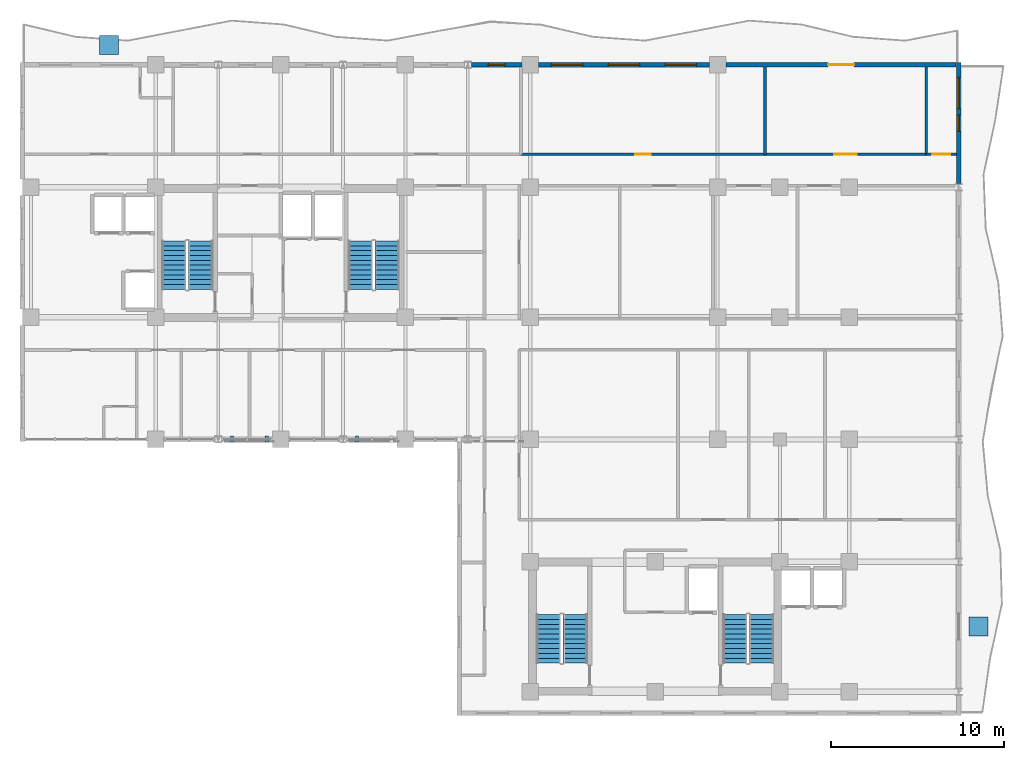
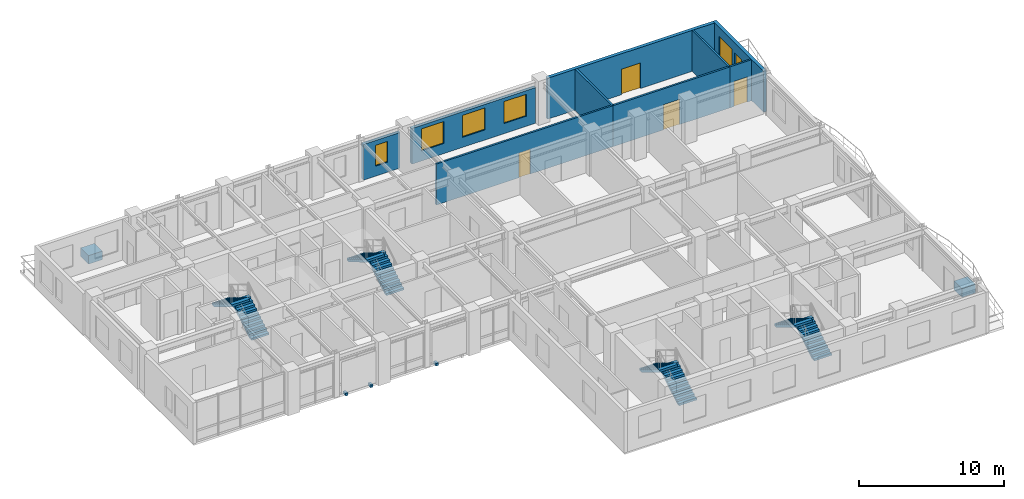
# One storey, part 12 of 16: 9 walls, 8 stair flights, 6 windows, 5 discrete accessories, 4 doors, 10 openings, 4 elements without a shape of their own.
"""IFC4 building model written with IfcOpenShell, lengths in metres."""

from ifc_helpers import new_model, si_unit, direction, frame, frame_2d, origin, origin_2d, place, context, subcontext, project, spatial, polyline, rectangle, outline, extrude, source, transform, mapped, material, layer, layer_set, type_object, element, fill, aggregate, save


model = new_model("IFC4")

# Units and contexts
model_context = context("Model", 3, precision=1e-05, world=origin(), true_north=direction((0.0, 1.0)))
body_context = subcontext(model_context, "Body", "Model", "MODEL_VIEW")
ifc_project = project(units=[si_unit("LENGTHUNIT", "METRE"), si_unit("AREAUNIT", "SQUARE_METRE"), si_unit("VOLUMEUNIT", "CUBIC_METRE"), si_unit("PLANEANGLEUNIT", "RADIAN"), si_unit("MASSUNIT", "GRAM", prefix="KILO")], contexts=[model_context])

# Site, building, storey
site_placement = place(None, origin())
site = spatial("IfcSite", under=ifc_project, at=site_placement, CompositionType="ELEMENT")
building_placement = place(site_placement, origin())
building = spatial("IfcBuilding", under=site, at=building_placement, Name="Kaliganga Portal Commons", CompositionType="ELEMENT")
storey_placement = place(building_placement, frame((0.0, 0.0, 205.5)))
storey = spatial("IfcBuildingStorey", under=building, at=storey_placement, Name="L52", CompositionType="ELEMENT", Elevation=205.5)

# Wall, openings, windows
ifc_material_1 = material(Name="Insulated Aluminium-Clad Spandrel Assembly", Category="aluminium")
ifc_layer_1 = layer(ifc_material_1, 0.260009765625)
ifc_layer_set_1 = layer_set([ifc_layer_1], Name="Insulated Aluminium-Clad Spandrel Assembly")
wall_type_1 = type_object("IfcWallType", Name="WL-EXT-SPAND-260", PredefinedType="STANDARD", material=ifc_layer_set_1)
wall_1_placement = place(storey_placement, frame((60.699951171875, 43.330078125, 0.0), z_axis=(0.0, 0.0, 1.0), x_axis=(0.0, -1.0, 0.0)))
wall_1 = element("IfcWall", 1, at=wall_1_placement, inside=storey, type_object=wall_type_1, Name="Exterior Envelope Wall L52 P1-E01-S6", PredefinedType="STANDARD", context=body_context, shape_type="SweptSolid", body=[
    extrude(rectangle(XDim=6.97900390625, YDim=0.260009765625, at=frame_2d((3.489501953125, 0.0))), origin(), (0.0, 0.0, 1.0), 3.449951171875),
])
opening_1_placement = place(wall_1_placement, frame((0.8447265625, 0.0, 0.85009765625)))
opening_1 = element("IfcOpeningElement", 2, at=opening_1_placement, cuts=wall_1, Name="Opening W-01", PredefinedType="OPENING", context=body_context, shape_type="SweptSolid", body=[
    extrude(rectangle(XDim=1.800048828125, YDim=1.85009765625, at=frame_2d((0.89990234375, 0.925048828125))), frame((0.0, 0.14013671875, 0.0), z_axis=(0.0, -1.0, 0.0), x_axis=(1.0, 0.0, 0.0)), (0.0, 0.0, 1.0), 0.280029296875),
])
opening_2_placement = place(wall_1_placement, frame((3.014404296875, 0.0, 0.85009765625)))
opening_2 = element("IfcOpeningElement", 3, at=opening_2_placement, cuts=wall_1, Name="Opening W-04", PredefinedType="OPENING", context=body_context, shape_type="SweptSolid", body=[
    extrude(rectangle(XDim=0.949951171875, YDim=1.75, at=frame_2d((0.47509765625, 0.875))), frame((0.0, 0.14013671875, 0.0), z_axis=(0.0, -1.0, 0.0), x_axis=(1.0, 0.0, 0.0)), (0.0, 0.0, 1.0), 0.280029296875),
])
ifc_material_2 = material(Name="Thermally Broken Aluminium and Low-E Double Glazing", Category="aluminium")
window_type_1 = type_object("IfcWindowType", Name="WIN-NARROW-950", PartitioningType="SINGLE_PANEL", PredefinedType="WINDOW", material=ifc_material_2)
window_1_placement = place(opening_2_placement, origin())
window_1 = element("IfcWindow", 4, at=window_1_placement, inside=storey, type_object=window_type_1, Name="Facade Window L52-P1E01S6-N0", OverallHeight=1.75, OverallWidth=0.949951171875, PartitioningType="SINGLE_PANEL", PredefinedType="WINDOW", context=body_context, shape_type="SweptSolid", body=[
    extrude(rectangle(XDim=0.949951171875, YDim=1.75, at=frame_2d((0.47509765625, 0.875))), frame((0.0, 0.030029296875, 0.0), z_axis=(0.0, -1.0, 0.0), x_axis=(1.0, 0.0, 0.0)), (0.0, 0.0, 1.0), 0.06005859375),
])
fill(opening_2, window_1)
window_type_2 = type_object("IfcWindowType", Name="WIN-STD-1800", PartitioningType="DOUBLE_PANEL_VERTICAL", PredefinedType="WINDOW", material=ifc_material_2)
window_2_placement = place(opening_1_placement, origin())
window_2 = element("IfcWindow", 5, at=window_2_placement, inside=storey, type_object=window_type_2, Name="Facade Window L52-P1E01S6-00", OverallHeight=1.85009765625, OverallWidth=1.800048828125, PartitioningType="SINGLE_PANEL", PredefinedType="WINDOW", context=body_context, shape_type="SweptSolid", body=[
    extrude(rectangle(XDim=1.800048828125, YDim=1.85009765625, at=frame_2d((0.89990234375, 0.925048828125))), frame((0.0, 0.030029296875, 0.0), z_axis=(0.0, -1.0, 0.0), x_axis=(1.0, 0.0, 0.0)), (0.0, 0.0, 1.0), 0.06005859375),
])
fill(opening_1, window_2)

# Wall, opening, door
wall_2_placement = place(storey_placement, frame((47.27587890625, 43.199951171875, 0.0), z_axis=(0.0, 0.0, 1.0), x_axis=(1.0, 0.0, 0.0)))
wall_2 = element("IfcWall", 6, at=wall_2_placement, inside=storey, type_object=wall_type_1, Name="Exterior Envelope Wall L52 P1-E02-S1", PredefinedType="STANDARD", context=body_context, shape_type="SweptSolid", body=[
    extrude(rectangle(XDim=13.2890625, YDim=0.260009765625, at=frame_2d((6.64453125, 0.0))), origin(), (0.0, 0.0, 1.0), 3.449951171875),
])
opening_3_placement = place(wall_2_placement, frame((5.89404296875, 0.0, 0.0)))
opening_3 = element("IfcOpeningElement", 7, at=opening_3_placement, cuts=wall_2, Name="Opening BD-01", PredefinedType="OPENING", context=body_context, shape_type="SweptSolid", body=[
    extrude(rectangle(XDim=1.5, YDim=2.14990234375, at=frame_2d((0.75, 1.074951171875))), frame((0.0, 0.14013671875, 0.0), z_axis=(0.0, -1.0, 0.0), x_axis=(1.0, 0.0, 0.0)), (0.0, 0.0, 1.0), 0.280029296875),
])
ifc_material_3 = material(Name="Anodized Aluminium and Laminated Safety Glass", Category="aluminium")
door_type_1 = type_object("IfcDoorType", Name="DR-BALC-1500", OperationType="SLIDING_TO_LEFT", PredefinedType="DOOR", material=ifc_material_3)
door_1_placement = place(opening_3_placement, origin())
door_1 = element("IfcDoor", 8, at=door_1_placement, inside=storey, type_object=door_type_1, Name="Balcony Sliding Door L52 balc_north", OperationType="SLIDING_TO_LEFT", OverallHeight=2.14990234375, OverallWidth=1.5, PredefinedType="DOOR", context=body_context, shape_type="SweptSolid", body=[
    extrude(rectangle(XDim=1.5, YDim=2.14990234375, at=frame_2d((0.75, 1.074951171875))), frame((0.0, 0.02490234375, 0.0), z_axis=(0.0, -1.0, 0.0), x_axis=(1.0, 0.0, 0.0)), (0.0, 0.0, 1.0), 0.050048828125),
])
fill(opening_3, door_1)

# Wall, openings, windows
wall_3_placement = place(storey_placement, frame((36.47607421875, 43.199951171875, 0.0), z_axis=(0.0, 0.0, 1.0), x_axis=(1.0, 0.0, 0.0)))
wall_3 = element("IfcWall", 9, at=wall_3_placement, inside=storey, type_object=wall_type_1, Name="Exterior Envelope Wall L52 P1-E02-S2", PredefinedType="STANDARD", context=body_context, shape_type="SweptSolid", body=[
    extrude(rectangle(XDim=9.847900390625, YDim=0.260009765625, at=frame_2d((4.923828125, 0.0))), origin(), (0.0, 0.0, 1.0), 3.0),
])
opening_4_placement = place(wall_3_placement, frame((0.7412109375, 0.0, 0.85009765625)))
opening_4 = element("IfcOpeningElement", 10, at=opening_4_placement, cuts=wall_3, Name="Opening W-01", PredefinedType="OPENING", context=body_context, shape_type="SweptSolid", body=[
    extrude(rectangle(XDim=1.800048828125, YDim=1.85009765625, at=frame_2d((0.89990234375, 0.925048828125))), frame((0.0, 0.14013671875, 0.0), z_axis=(0.0, -1.0, 0.0), x_axis=(1.0, 0.0, 0.0)), (0.0, 0.0, 1.0), 0.280029296875),
])
opening_5_placement = place(wall_3_placement, frame((4.02392578125, 0.0, 0.85009765625)))
opening_5 = element("IfcOpeningElement", 11, at=opening_5_placement, cuts=wall_3, Name="Opening W-01", PredefinedType="OPENING", context=body_context, shape_type="SweptSolid", body=[
    extrude(rectangle(XDim=1.800048828125, YDim=1.85009765625, at=frame_2d((0.89990234375, 0.925048828125))), frame((0.0, 0.14013671875, 0.0), z_axis=(0.0, -1.0, 0.0), x_axis=(1.0, 0.0, 0.0)), (0.0, 0.0, 1.0), 0.280029296875),
])
opening_6_placement = place(wall_3_placement, frame((7.306640625, 0.0, 0.85009765625)))
opening_6 = element("IfcOpeningElement", 12, at=opening_6_placement, cuts=wall_3, Name="Opening W-01", PredefinedType="OPENING", context=body_context, shape_type="SweptSolid", body=[
    extrude(rectangle(XDim=1.800048828125, YDim=1.85009765625, at=frame_2d((0.89990234375, 0.925048828125))), frame((0.0, 0.14013671875, 0.0), z_axis=(0.0, -1.0, 0.0), x_axis=(1.0, 0.0, 0.0)), (0.0, 0.0, 1.0), 0.280029296875),
])
window_3_placement = place(opening_4_placement, origin())
window_3 = element("IfcWindow", 13, at=window_3_placement, inside=storey, type_object=window_type_2, Name="Facade Window L52-P1E02S2-00", OverallHeight=1.85009765625, OverallWidth=1.800048828125, PartitioningType="SINGLE_PANEL", PredefinedType="WINDOW", context=body_context, shape_type="SweptSolid", body=[
    extrude(rectangle(XDim=1.800048828125, YDim=1.85009765625, at=frame_2d((0.89990234375, 0.925048828125))), frame((0.0, 0.030029296875, 0.0), z_axis=(0.0, -1.0, 0.0), x_axis=(1.0, 0.0, 0.0)), (0.0, 0.0, 1.0), 0.06005859375),
])
fill(opening_4, window_3)
window_4_placement = place(opening_5_placement, origin())
window_4 = element("IfcWindow", 14, at=window_4_placement, inside=storey, type_object=window_type_2, Name="Facade Window L52-P1E02S2-01", OverallHeight=1.85009765625, OverallWidth=1.800048828125, PartitioningType="SINGLE_PANEL", PredefinedType="WINDOW", context=body_context, shape_type="SweptSolid", body=[
    extrude(rectangle(XDim=1.800048828125, YDim=1.85009765625, at=frame_2d((0.89990234375, 0.925048828125))), frame((0.0, 0.030029296875, 0.0), z_axis=(0.0, -1.0, 0.0), x_axis=(1.0, 0.0, 0.0)), (0.0, 0.0, 1.0), 0.06005859375),
])
fill(opening_5, window_4)
window_5_placement = place(opening_6_placement, origin())
window_5 = element("IfcWindow", 15, at=window_5_placement, inside=storey, type_object=window_type_2, Name="Facade Window L52-P1E02S2-02", OverallHeight=1.85009765625, OverallWidth=1.800048828125, PartitioningType="SINGLE_PANEL", PredefinedType="WINDOW", context=body_context, shape_type="SweptSolid", body=[
    extrude(rectangle(XDim=1.800048828125, YDim=1.85009765625, at=frame_2d((0.89990234375, 0.925048828125))), frame((0.0, 0.030029296875, 0.0), z_axis=(0.0, -1.0, 0.0), x_axis=(1.0, 0.0, 0.0)), (0.0, 0.0, 1.0), 0.06005859375),
])
fill(opening_6, window_5)

# Wall, opening, window
wall_4_placement = place(storey_placement, frame((32.6005859375, 43.199951171875, 0.0), z_axis=(0.0, 0.0, 1.0), x_axis=(1.0, 0.0, 0.0)))
wall_4 = element("IfcWall", 16, at=wall_4_placement, inside=storey, type_object=wall_type_1, Name="Exterior Envelope Wall L52 P1-E02-S3", PredefinedType="STANDARD", context=body_context, shape_type="SweptSolid", body=[
    extrude(rectangle(XDim=2.92333984375, YDim=0.260009765625, at=frame_2d((1.461669921875, 0.0))), origin(), (0.0, 0.0, 1.0), 3.0),
])
opening_7_placement = place(wall_4_placement, frame((0.98681640625, 0.0, 0.85009765625)))
opening_7 = element("IfcOpeningElement", 17, at=opening_7_placement, cuts=wall_4, Name="Opening W-04", PredefinedType="OPENING", context=body_context, shape_type="SweptSolid", body=[
    extrude(rectangle(XDim=0.949951171875, YDim=1.75, at=frame_2d((0.47509765625, 0.875))), frame((0.0, 0.14013671875, 0.0), z_axis=(0.0, -1.0, 0.0), x_axis=(1.0, 0.0, 0.0)), (0.0, 0.0, 1.0), 0.280029296875),
])
window_6_placement = place(opening_7_placement, origin())
window_6 = element("IfcWindow", 18, at=window_6_placement, inside=storey, type_object=window_type_1, Name="Facade Window L52-P1E02S3-00", OverallHeight=1.75, OverallWidth=0.949951171875, PartitioningType="SINGLE_PANEL", PredefinedType="WINDOW", context=body_context, shape_type="SweptSolid", body=[
    extrude(rectangle(XDim=0.949951171875, YDim=1.75, at=frame_2d((0.47509765625, 0.875))), frame((0.0, 0.030029296875, 0.0), z_axis=(0.0, -1.0, 0.0), x_axis=(1.0, 0.0, 0.0)), (0.0, 0.0, 1.0), 0.06005859375),
])
fill(opening_7, window_6)

# Wall, opening, door
ifc_material_4 = material(Name="Fire-Rated Gypsum Board on Steel Stud", Category="steel")
ifc_layer_2 = layer(ifc_material_4, 0.14990234375)
ifc_layer_set_2 = layer_set([ifc_layer_2], Name="Fire-Rated Gypsum Board on Steel Stud")
wall_type_2 = type_object("IfcWallType", Name="WL-PART-CORR-150", PredefinedType="PARTITIONING", material=ifc_layer_set_2)
wall_5_placement = place(storey_placement, frame((35.4599609375, 38.0400390625, 0.0), z_axis=(0.0, 0.0, 1.0), x_axis=(1.0, 0.0, 0.0)))
wall_5 = element("IfcWall", 19, at=wall_5_placement, inside=storey, type_object=wall_type_2, Name="Interior Partition L52-007", PredefinedType="PARTITIONING", context=body_context, shape_type="SweptSolid", body=[
    extrude(rectangle(XDim=14.080078125, YDim=0.14990234375, at=frame_2d((7.0400390625, 0.0))), origin(), (0.0, 0.0, 1.0), 3.449951171875),
])
opening_8_placement = place(wall_5_placement, frame((6.590087890625, 0.0, 0.0)))
opening_8 = element("IfcOpeningElement", 20, at=opening_8_placement, cuts=wall_5, Name="Opening RD-01", PredefinedType="OPENING", context=body_context, shape_type="SweptSolid", body=[
    extrude(rectangle(XDim=0.89990234375, YDim=2.080078125, at=frame_2d((0.449951171875, 1.0400390625))), frame((0.0, 0.0849609375, 0.0), z_axis=(0.0, -1.0, 0.0), x_axis=(1.0, 0.0, 0.0)), (0.0, 0.0, 1.0), 0.169921875),
])
ifc_material_5 = material(Name="Engineered Timber Flush Door", Category="wood")
door_type_2 = type_object("IfcDoorType", Name="DR-ROOM-900", OperationType="NOTDEFINED", PredefinedType="DOOR", material=ifc_material_5)
door_2_placement = place(opening_8_placement, origin())
door_2 = element("IfcDoor", 21, at=door_2_placement, inside=storey, type_object=door_type_2, Name="Interior Door L52-AN04", OperationType="SINGLE_SWING_LEFT", OverallHeight=2.080078125, OverallWidth=0.89990234375, PredefinedType="DOOR", context=body_context, shape_type="SweptSolid", body=[
    extrude(rectangle(XDim=0.89990234375, YDim=2.080078125, at=frame_2d((0.449951171875, 1.0400390625))), frame((0.0, 0.02490234375, 0.0), z_axis=(0.0, -1.0, 0.0), x_axis=(1.0, 0.0, 0.0)), (0.0, 0.0, 1.0), 0.050048828125),
])
fill(opening_8, door_2)

wall_6_placement = place(storey_placement, frame((49.5400390625, 38.0400390625, 0.0), z_axis=(0.0, 0.0, 1.0), x_axis=(1.0, 0.0, 0.0)))
wall_6 = element("IfcWall", 22, at=wall_6_placement, inside=storey, type_object=wall_type_2, Name="Interior Partition L52-011", PredefinedType="PARTITIONING", context=body_context, shape_type="SweptSolid", body=[
    extrude(rectangle(XDim=9.300048828125, YDim=0.14990234375, at=frame_2d((4.64990234375, 0.0))), origin(), (0.0, 0.0, 1.0), 3.449951171875),
])
opening_9_placement = place(wall_6_placement, frame((4.0, 0.0, 0.0)))
opening_9 = element("IfcOpeningElement", 23, at=opening_9_placement, cuts=wall_6, Name="Opening RD-03", PredefinedType="OPENING", context=body_context, shape_type="SweptSolid", body=[
    extrude(rectangle(XDim=1.300048828125, YDim=2.1201171875, at=frame_2d((0.64990234375, 1.06005859375))), frame((0.0, 0.0849609375, 0.0), z_axis=(0.0, -1.0, 0.0), x_axis=(1.0, 0.0, 0.0)), (0.0, 0.0, 1.0), 0.169921875),
])
ifc_material_6 = material(Name="Glazed Timber Seminar Vision Door", Category="wood")
door_type_3 = type_object("IfcDoorType", Name="DR-STUDY-1300", OperationType="DOUBLE_DOOR_SINGLE_SWING", PredefinedType="DOOR", material=ifc_material_6)
door_3_placement = place(opening_9_placement, origin())
door_3 = element("IfcDoor", 24, at=door_3_placement, inside=storey, type_object=door_type_3, Name="Interior Door L52-AN05", OperationType="DOUBLE_DOOR_SINGLE_SWING", OverallHeight=2.1201171875, OverallWidth=1.300048828125, PredefinedType="DOOR", context=body_context, shape_type="SweptSolid", body=[
    extrude(rectangle(XDim=1.300048828125, YDim=2.1201171875, at=frame_2d((0.64990234375, 1.06005859375))), frame((0.0, 0.02490234375, 0.0), z_axis=(0.0, -1.0, 0.0), x_axis=(1.0, 0.0, 0.0)), (0.0, 0.0, 1.0), 0.050048828125),
])
fill(opening_9, door_3)

wall_7_placement = place(storey_placement, frame((58.840087890625, 38.0400390625, 0.0), z_axis=(0.0, 0.0, 1.0), x_axis=(1.0, 0.0, 0.0)))
wall_7 = element("IfcWall", 25, at=wall_7_placement, inside=storey, type_object=wall_type_2, Name="Interior Partition L52-044", PredefinedType="PARTITIONING", context=body_context, shape_type="SweptSolid", body=[
    extrude(rectangle(XDim=1.72802734375, YDim=0.14990234375, at=frame_2d((0.864013671875, 0.0))), origin(), (0.0, 0.0, 1.0), 3.449951171875),
])
opening_10_placement = place(wall_7_placement, frame((0.339111328125, 0.0, 0.0)))
opening_10 = element("IfcOpeningElement", 26, at=opening_10_placement, cuts=wall_7, Name="Opening UD-02", PredefinedType="OPENING", context=body_context, shape_type="SweptSolid", body=[
    extrude(rectangle(XDim=1.050048828125, YDim=2.1201171875, at=frame_2d((0.52490234375, 1.06005859375))), frame((0.0, 0.0849609375, 0.0), z_axis=(0.0, -1.0, 0.0), x_axis=(1.0, 0.0, 0.0)), (0.0, 0.0, 1.0), 0.169921875),
])
ifc_material_7 = material(Name="Accessible Wide-Leaf Acoustic Fire Door", Category="wood")
door_type_4 = type_object("IfcDoorType", Name="DR-ACC-1050", OperationType="NOTDEFINED", PredefinedType="DOOR", material=ifc_material_7)
door_4_placement = place(opening_10_placement, origin())
door_4 = element("IfcDoor", 27, at=door_4_placement, inside=storey, type_object=door_type_4, Name="Interior Door L52-AN06", OperationType="SINGLE_SWING_RIGHT", OverallHeight=2.1201171875, OverallWidth=1.050048828125, PredefinedType="DOOR", context=body_context, shape_type="SweptSolid", body=[
    extrude(rectangle(XDim=1.050048828125, YDim=2.1201171875, at=frame_2d((0.52490234375, 1.06005859375))), frame((0.0, 0.02490234375, 0.0), z_axis=(0.0, -1.0, 0.0), x_axis=(1.0, 0.0, 0.0)), (0.0, 0.0, 1.0), 0.050048828125),
])
fill(opening_10, door_4)

# Walls
ifc_material_8 = material(Name="Twin-Stud Acoustic Gypsum Partition", Category="gypsum")
ifc_layer_3 = layer(ifc_material_8, 0.1650390625)
ifc_layer_set_3 = layer_set([ifc_layer_3], Name="Twin-Stud Acoustic Gypsum Partition")
wall_type_3 = type_object("IfcWallType", Name="WL-PART-UNIT-165", PredefinedType="PARTITIONING", material=ifc_layer_set_3)
wall_8_placement = place(storey_placement, frame((49.5400390625, 38.0400390625, 0.0), z_axis=(0.0, 0.0, 1.0), x_axis=(0.0, 1.0, 0.0)))
element("IfcWall", 28, at=wall_8_placement, inside=storey, type_object=wall_type_3, Name="Interior Partition L52-060", PredefinedType="PARTITIONING", context=body_context, shape_type="SweptSolid", body=[
    extrude(rectangle(XDim=5.028076171875, YDim=0.1650390625, at=frame_2d((2.51416015625, 0.0))), origin(), (0.0, 0.0, 1.0), 3.449951171875),
])
ifc_material_9 = material(Name="Cement-Board Wet-Room Partition", Category="gypsum")
ifc_layer_4 = layer(ifc_material_9, 0.135009765625)
ifc_layer_set_4 = layer_set([ifc_layer_4], Name="Cement-Board Wet-Room Partition")
wall_type_4 = type_object("IfcWallType", Name="WL-PART-WET-135", PredefinedType="PARTITIONING", material=ifc_layer_set_4)
wall_9_placement = place(storey_placement, frame((58.840087890625, 38.0400390625, 0.0), z_axis=(0.0, 0.0, 1.0), x_axis=(0.0, 1.0, 0.0)))
element("IfcWall", 29, at=wall_9_placement, inside=storey, type_object=wall_type_4, Name="Interior Partition L52-061", PredefinedType="PARTITIONING", context=body_context, shape_type="SweptSolid", body=[
    extrude(rectangle(XDim=5.028076171875, YDim=0.135009765625, at=frame_2d((2.51416015625, 0.0))), origin(), (0.0, 0.0, 1.0), 3.449951171875),
])

# Stair, stair flights
ifc_material_10 = material(Name="Concrete C40/50", Category="concrete")
stair_type = type_object("IfcStairType", Name="ST-CORE-DOGLEG", PredefinedType="HALF_TURN_STAIR", material=ifc_material_10)
stair_1_placement = place(storey_placement, origin())
stair_1 = element("IfcStair", 30, at=stair_1_placement, inside=storey, type_object=stair_type, Name="L52 Protected Exit Stair ST-A1", PredefinedType="HALF_TURN_STAIR")
stair_flight_type = type_object("IfcStairFlightType", Name="STF-RC-1400", PredefinedType="STRAIGHT", material=ifc_material_10)
stair_flight_1_placement = place(storey_placement, frame((17.0, 30.25, 0.0), z_axis=(0.0, 0.0, 1.0), x_axis=(0.0, 1.0, 0.0)))
stair_flight_1 = element("IfcStairFlight", 31, at=stair_flight_1_placement, type_object=stair_flight_type, Name="ST-A1 flight 1", NumberOfRisers=11, NumberOfTreads=10, PredefinedType="STRAIGHT", RiserHeight=0.168181818, TreadLength=0.28, context=body_context, shape_type="SweptSolid", body=[
    extrude(outline(polyline([(0.0, 0.0), (0.0, 0.168212890625), (0.280029296875, 0.168212890625), (0.280029296875, 0.33642578125), (0.56005859375, 0.33642578125), (0.56005859375, 0.504638671875), (0.840087890625, 0.504638671875), (0.840087890625, 0.672607421875), (1.1201171875, 0.672607421875), (1.1201171875, 0.8408203125), (1.39990234375, 0.8408203125), (1.39990234375, 1.009033203125), (1.679931640625, 1.009033203125), (1.679931640625, 1.17724609375), (1.9599609375, 1.17724609375), (1.9599609375, 1.345458984375), (2.239990234375, 1.345458984375), (2.239990234375, 1.513671875), (2.52001953125, 1.513671875), (2.52001953125, 1.681884765625), (2.800048828125, 1.681884765625), (2.800048828125, 1.85009765625), (2.800048828125, 1.5068359375), (0.291015625, 0.0), (0.0, 0.0)])), frame((0.0, 0.699951171875, 0.0), z_axis=(0.0, -1.0, 0.0), x_axis=(1.0, 0.0, 0.0)), (0.0, 0.0, 1.0), 1.39990234375),
])
stair_flight_2_placement = place(storey_placement, frame((15.449951171875, 33.050048828125, 1.85009765625), z_axis=(0.0, 0.0, 1.0), x_axis=(0.0, -1.0, 0.0)))
stair_flight_2 = element("IfcStairFlight", 32, at=stair_flight_2_placement, type_object=stair_flight_type, Name="ST-A1 flight 2", NumberOfRisers=11, NumberOfTreads=10, PredefinedType="STRAIGHT", RiserHeight=0.168181818, TreadLength=0.28, context=body_context, shape_type="SweptSolid", body=[
    extrude(outline(polyline([(0.0, 0.0), (0.0, 0.168212890625), (0.280029296875, 0.168212890625), (0.280029296875, 0.33642578125), (0.56005859375, 0.33642578125), (0.56005859375, 0.504638671875), (0.840087890625, 0.504638671875), (0.840087890625, 0.672607421875), (1.1201171875, 0.672607421875), (1.1201171875, 0.8408203125), (1.39990234375, 0.8408203125), (1.39990234375, 1.009033203125), (1.679931640625, 1.009033203125), (1.679931640625, 1.17724609375), (1.9599609375, 1.17724609375), (1.9599609375, 1.345458984375), (2.239990234375, 1.345458984375), (2.239990234375, 1.513671875), (2.52001953125, 1.513671875), (2.52001953125, 1.681884765625), (2.800048828125, 1.681884765625), (2.800048828125, 1.85009765625), (2.800048828125, 1.5068359375), (0.291015625, 0.0), (0.0, 0.0)])), frame((0.0, 0.699951171875, 0.0), z_axis=(0.0, -1.0, 0.0), x_axis=(1.0, 0.0, 0.0)), (0.0, 0.0, 1.0), 1.39990234375),
])
aggregate(stair_1, [stair_flight_1, stair_flight_2])

stair_2_placement = place(storey_placement, origin())
stair_2 = element("IfcStair", 33, at=stair_2_placement, inside=storey, type_object=stair_type, Name="L52 Protected Exit Stair ST-A2", PredefinedType="HALF_TURN_STAIR")
stair_flight_3_placement = place(storey_placement, frame((27.75, 30.25, 0.0), z_axis=(0.0, 0.0, 1.0), x_axis=(0.0, 1.0, 0.0)))
stair_flight_3 = element("IfcStairFlight", 34, at=stair_flight_3_placement, type_object=stair_flight_type, Name="ST-A2 flight 1", NumberOfRisers=11, NumberOfTreads=10, PredefinedType="STRAIGHT", RiserHeight=0.168181818, TreadLength=0.28, context=body_context, shape_type="SweptSolid", body=[
    extrude(outline(polyline([(0.0, 0.0), (0.0, 0.168212890625), (0.280029296875, 0.168212890625), (0.280029296875, 0.33642578125), (0.56005859375, 0.33642578125), (0.56005859375, 0.504638671875), (0.840087890625, 0.504638671875), (0.840087890625, 0.672607421875), (1.1201171875, 0.672607421875), (1.1201171875, 0.8408203125), (1.39990234375, 0.8408203125), (1.39990234375, 1.009033203125), (1.679931640625, 1.009033203125), (1.679931640625, 1.17724609375), (1.9599609375, 1.17724609375), (1.9599609375, 1.345458984375), (2.239990234375, 1.345458984375), (2.239990234375, 1.513671875), (2.52001953125, 1.513671875), (2.52001953125, 1.681884765625), (2.800048828125, 1.681884765625), (2.800048828125, 1.85009765625), (2.800048828125, 1.5068359375), (0.291015625, 0.0), (0.0, 0.0)])), frame((0.0, 0.699951171875, 0.0), z_axis=(0.0, -1.0, 0.0), x_axis=(1.0, 0.0, 0.0)), (0.0, 0.0, 1.0), 1.39990234375),
])
stair_flight_4_placement = place(storey_placement, frame((26.199951171875, 33.050048828125, 1.85009765625), z_axis=(0.0, 0.0, 1.0), x_axis=(0.0, -1.0, 0.0)))
stair_flight_4 = element("IfcStairFlight", 35, at=stair_flight_4_placement, type_object=stair_flight_type, Name="ST-A2 flight 2", NumberOfRisers=11, NumberOfTreads=10, PredefinedType="STRAIGHT", RiserHeight=0.168181818, TreadLength=0.28, context=body_context, shape_type="SweptSolid", body=[
    extrude(outline(polyline([(0.0, 0.0), (0.0, 0.168212890625), (0.280029296875, 0.168212890625), (0.280029296875, 0.33642578125), (0.56005859375, 0.33642578125), (0.56005859375, 0.504638671875), (0.840087890625, 0.504638671875), (0.840087890625, 0.672607421875), (1.1201171875, 0.672607421875), (1.1201171875, 0.8408203125), (1.39990234375, 0.8408203125), (1.39990234375, 1.009033203125), (1.679931640625, 1.009033203125), (1.679931640625, 1.17724609375), (1.9599609375, 1.17724609375), (1.9599609375, 1.345458984375), (2.239990234375, 1.345458984375), (2.239990234375, 1.513671875), (2.52001953125, 1.513671875), (2.52001953125, 1.681884765625), (2.800048828125, 1.681884765625), (2.800048828125, 1.85009765625), (2.800048828125, 1.5068359375), (0.291015625, 0.0), (0.0, 0.0)])), frame((0.0, 0.699951171875, 0.0), z_axis=(0.0, -1.0, 0.0), x_axis=(1.0, 0.0, 0.0)), (0.0, 0.0, 1.0), 1.39990234375),
])
aggregate(stair_2, [stair_flight_3, stair_flight_4])

stair_3_placement = place(storey_placement, origin())
stair_3 = element("IfcStair", 36, at=stair_3_placement, inside=storey, type_object=stair_type, Name="L52 Protected Exit Stair ST-B1", PredefinedType="HALF_TURN_STAIR")
stair_flight_5_placement = place(storey_placement, frame((38.60009765625, 8.699951171875, 0.0), z_axis=(0.0, 0.0, 1.0), x_axis=(0.0, 1.0, 0.0)))
stair_flight_5 = element("IfcStairFlight", 37, at=stair_flight_5_placement, type_object=stair_flight_type, Name="ST-B1 flight 1", NumberOfRisers=11, NumberOfTreads=10, PredefinedType="STRAIGHT", RiserHeight=0.168181818, TreadLength=0.28, context=body_context, shape_type="SweptSolid", body=[
    extrude(outline(polyline([(0.0, 0.0), (0.0, 0.168212890625), (0.280029296875, 0.168212890625), (0.280029296875, 0.33642578125), (0.56005859375, 0.33642578125), (0.56005859375, 0.504638671875), (0.840087890625, 0.504638671875), (0.840087890625, 0.672607421875), (1.1201171875, 0.672607421875), (1.1201171875, 0.8408203125), (1.39990234375, 0.8408203125), (1.39990234375, 1.009033203125), (1.679931640625, 1.009033203125), (1.679931640625, 1.17724609375), (1.9599609375, 1.17724609375), (1.9599609375, 1.345458984375), (2.239990234375, 1.345458984375), (2.239990234375, 1.513671875), (2.52001953125, 1.513671875), (2.52001953125, 1.681884765625), (2.800048828125, 1.681884765625), (2.800048828125, 1.85009765625), (2.800048828125, 1.5068359375), (0.291015625, 0.0), (0.0, 0.0)])), frame((0.0, 0.699951171875, 0.0), z_axis=(0.0, -1.0, 0.0), x_axis=(1.0, 0.0, 0.0)), (0.0, 0.0, 1.0), 1.39990234375),
])
stair_flight_6_placement = place(storey_placement, frame((37.050048828125, 11.5, 1.85009765625), z_axis=(0.0, 0.0, 1.0), x_axis=(0.0, -1.0, 0.0)))
stair_flight_6 = element("IfcStairFlight", 38, at=stair_flight_6_placement, type_object=stair_flight_type, Name="ST-B1 flight 2", NumberOfRisers=11, NumberOfTreads=10, PredefinedType="STRAIGHT", RiserHeight=0.168181818, TreadLength=0.28, context=body_context, shape_type="SweptSolid", body=[
    extrude(outline(polyline([(0.0, 0.0), (0.0, 0.168212890625), (0.280029296875, 0.168212890625), (0.280029296875, 0.33642578125), (0.56005859375, 0.33642578125), (0.56005859375, 0.504638671875), (0.840087890625, 0.504638671875), (0.840087890625, 0.672607421875), (1.1201171875, 0.672607421875), (1.1201171875, 0.8408203125), (1.39990234375, 0.8408203125), (1.39990234375, 1.009033203125), (1.679931640625, 1.009033203125), (1.679931640625, 1.17724609375), (1.9599609375, 1.17724609375), (1.9599609375, 1.345458984375), (2.239990234375, 1.345458984375), (2.239990234375, 1.513671875), (2.52001953125, 1.513671875), (2.52001953125, 1.681884765625), (2.800048828125, 1.681884765625), (2.800048828125, 1.85009765625), (2.800048828125, 1.5068359375), (0.291015625, 0.0), (0.0, 0.0)])), frame((0.0, 0.699951171875, 0.0), z_axis=(0.0, -1.0, 0.0), x_axis=(1.0, 0.0, 0.0)), (0.0, 0.0, 1.0), 1.39990234375),
])
aggregate(stair_3, [stair_flight_5, stair_flight_6])

stair_4_placement = place(storey_placement, origin())
stair_4 = element("IfcStair", 39, at=stair_4_placement, inside=storey, type_object=stair_type, Name="L52 Protected Exit Stair ST-B2", PredefinedType="HALF_TURN_STAIR")
stair_flight_7_placement = place(storey_placement, frame((49.35009765625, 8.699951171875, 0.0), z_axis=(0.0, 0.0, 1.0), x_axis=(0.0, 1.0, 0.0)))
stair_flight_7 = element("IfcStairFlight", 40, at=stair_flight_7_placement, type_object=stair_flight_type, Name="ST-B2 flight 1", NumberOfRisers=11, NumberOfTreads=10, PredefinedType="STRAIGHT", RiserHeight=0.168181818, TreadLength=0.28, context=body_context, shape_type="SweptSolid", body=[
    extrude(outline(polyline([(0.0, 0.0), (0.0, 0.168212890625), (0.280029296875, 0.168212890625), (0.280029296875, 0.33642578125), (0.56005859375, 0.33642578125), (0.56005859375, 0.504638671875), (0.840087890625, 0.504638671875), (0.840087890625, 0.672607421875), (1.1201171875, 0.672607421875), (1.1201171875, 0.8408203125), (1.39990234375, 0.8408203125), (1.39990234375, 1.009033203125), (1.679931640625, 1.009033203125), (1.679931640625, 1.17724609375), (1.9599609375, 1.17724609375), (1.9599609375, 1.345458984375), (2.239990234375, 1.345458984375), (2.239990234375, 1.513671875), (2.52001953125, 1.513671875), (2.52001953125, 1.681884765625), (2.800048828125, 1.681884765625), (2.800048828125, 1.85009765625), (2.800048828125, 1.5068359375), (0.291015625, 0.0), (0.0, 0.0)])), frame((0.0, 0.699951171875, 0.0), z_axis=(0.0, -1.0, 0.0), x_axis=(1.0, 0.0, 0.0)), (0.0, 0.0, 1.0), 1.39990234375),
])
stair_flight_8_placement = place(storey_placement, frame((47.800048828125, 11.5, 1.85009765625), z_axis=(0.0, 0.0, 1.0), x_axis=(0.0, -1.0, 0.0)))
stair_flight_8 = element("IfcStairFlight", 41, at=stair_flight_8_placement, type_object=stair_flight_type, Name="ST-B2 flight 2", NumberOfRisers=11, NumberOfTreads=10, PredefinedType="STRAIGHT", RiserHeight=0.168181818, TreadLength=0.28, context=body_context, shape_type="SweptSolid", body=[
    extrude(outline(polyline([(0.0, 0.0), (0.0, 0.168212890625), (0.280029296875, 0.168212890625), (0.280029296875, 0.33642578125), (0.56005859375, 0.33642578125), (0.56005859375, 0.504638671875), (0.840087890625, 0.504638671875), (0.840087890625, 0.672607421875), (1.1201171875, 0.672607421875), (1.1201171875, 0.8408203125), (1.39990234375, 0.8408203125), (1.39990234375, 1.009033203125), (1.679931640625, 1.009033203125), (1.679931640625, 1.17724609375), (1.9599609375, 1.17724609375), (1.9599609375, 1.345458984375), (2.239990234375, 1.345458984375), (2.239990234375, 1.513671875), (2.52001953125, 1.513671875), (2.52001953125, 1.681884765625), (2.800048828125, 1.681884765625), (2.800048828125, 1.85009765625), (2.800048828125, 1.5068359375), (0.291015625, 0.0), (0.0, 0.0)])), frame((0.0, 0.699951171875, 0.0), z_axis=(0.0, -1.0, 0.0), x_axis=(1.0, 0.0, 0.0)), (0.0, 0.0, 1.0), 1.39990234375),
])
aggregate(stair_4, [stair_flight_7, stair_flight_8])

# Discrete accessories
ifc_material_11 = material(Name="Precast concrete C40/50", Category="concrete")
discrete_accessory_type_1 = type_object("IfcDiscreteAccessoryType", Name="DAC-PLANTER-RC", PredefinedType="USERDEFINED", material=ifc_material_11)
shared_shape_1 = source(origin(), body_context, "Body", "SweptSolid", [
    extrude(rectangle(XDim=1.10009765625, YDim=1.10009765625, at=origin_2d()), origin(), (0.0, 0.0, 1.0), 0.719970703125),
])
for number, where, z_axis, x_axis, name in (
    (42, (11.699951171875, 44.35009765625, 0.0), (0.0, 0.0, 1.0), (1.0, 0.0, 0.0), "Structural Tree Planter L52 balc_north"),
    (43, (61.85009765625, 10.800048828125, 0.0), (0.0, 0.0, 1.0), (1.0, 0.0, 0.0), "Structural Tree Planter L52 balc_east"),
):
    element("IfcDiscreteAccessory", number, at=place(storey_placement, frame(where, z_axis=z_axis, x_axis=x_axis)), inside=storey, type_object=discrete_accessory_type_1, Name=name, ObjectType="PLANTER", PredefinedType="USERDEFINED", context=body_context, shape_type="MappedRepresentation", body=[
        mapped(shared_shape_1, transform((0.0, 0.0, 0.0), x_axis=(1.0, 0.0, 0.0), y_axis=(0.0, 1.0, 0.0), z_axis=(0.0, 0.0, 1.0), scale=1.0)),
    ])
ifc_material_12 = material(Name="Structural steel S355J2", Category="steel")
discrete_accessory_type_2 = type_object("IfcDiscreteAccessoryType", Name="DAC-BRK-SCR", PredefinedType="BRACKET", material=ifc_material_12)
shared_shape_2 = source(origin(), body_context, "Body", "SweptSolid", [
    extrude(rectangle(XDim=0.179931640625, YDim=0.360107421875, at=origin_2d()), origin(), (0.0, 0.0, 1.0), 0.219970703125),
])
for number, where, z_axis, x_axis, name in (
    (44, (18.800048828125, 21.6201171875, -0.18994140625), (0.0, 0.0, 1.0), (1.0, 0.0, 0.0), "Solar Screen Outrigger Bracket L52-S1-1"),
    (45, (20.800048828125, 21.6201171875, -0.18994140625), (0.0, 0.0, 1.0), (1.0, 0.0, 0.0), "Solar Screen Outrigger Bracket L52-S1-2"),
    (46, (26.0, 21.6201171875, -0.18994140625), (0.0, 0.0, 1.0), (1.0, 0.0, 0.0), "Solar Screen Outrigger Bracket L52-S2-1"),
):
    element("IfcDiscreteAccessory", number, at=place(storey_placement, frame(where, z_axis=z_axis, x_axis=x_axis)), inside=storey, type_object=discrete_accessory_type_2, Name=name, PredefinedType="BRACKET", context=body_context, shape_type="MappedRepresentation", body=[
        mapped(shared_shape_2, transform((0.0, 0.0, 0.0), x_axis=(1.0, 0.0, 0.0), y_axis=(0.0, 1.0, 0.0), z_axis=(0.0, 0.0, 1.0), scale=1.0)),
    ])

save(model, "model.ifc")
